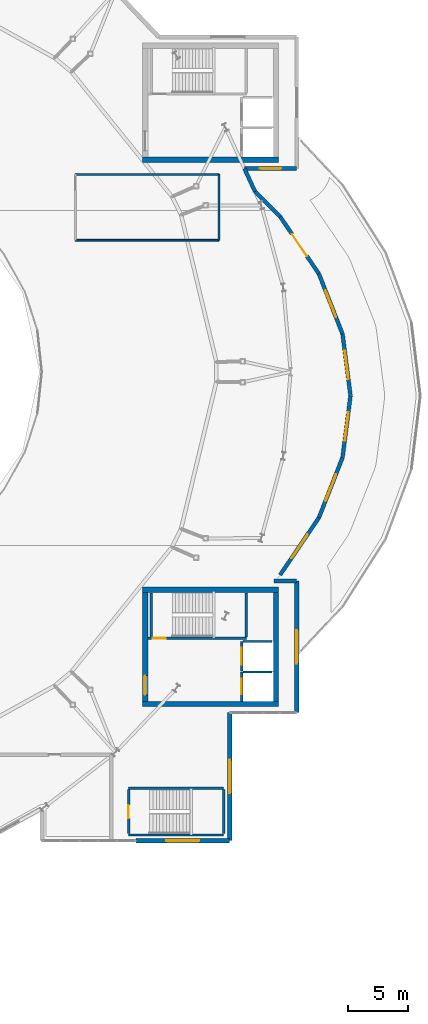
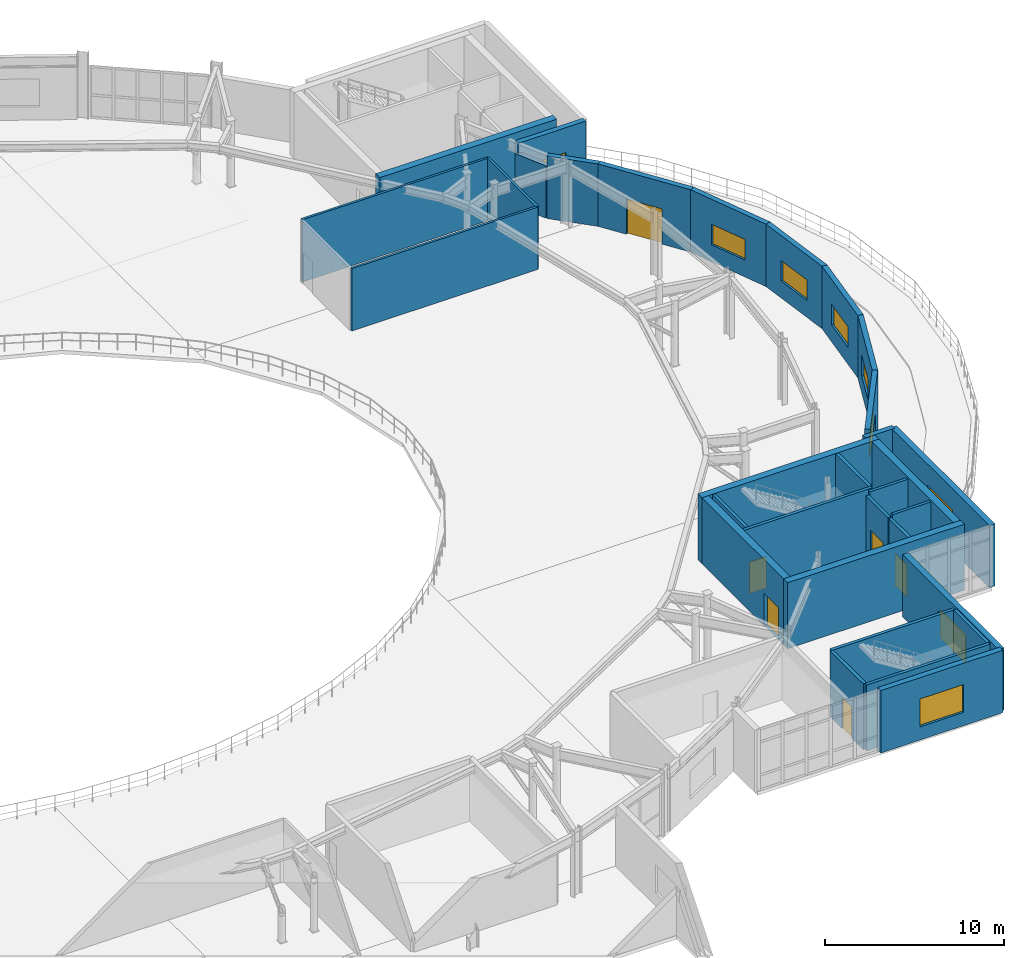
# One storey, part 41 of 48: 32 walls, 9 windows, 6 doors, 15 openings.
"""IFC4 building model written with IfcOpenShell, lengths in metres."""

from ifc_helpers import new_model, si_unit, direction, frame, frame_2d, origin, place, context, subcontext, project, spatial, rectangle, extrude, material, layer, layer_set, type_object, element, fill, save


model = new_model("IFC4")

# Units and contexts
model_context = context("Model", 3, precision=1e-05, world=origin(), true_north=direction((0.0, 1.0)))
body_context = subcontext(model_context, "Body", "Model", "MODEL_VIEW")
ifc_project = project(units=[si_unit("LENGTHUNIT", "METRE"), si_unit("AREAUNIT", "SQUARE_METRE"), si_unit("VOLUMEUNIT", "CUBIC_METRE"), si_unit("PLANEANGLEUNIT", "RADIAN"), si_unit("MASSUNIT", "GRAM", prefix="KILO")], contexts=[model_context])

# Site, building, storey
site_placement = place(None, origin())
site = spatial("IfcSite", under=ifc_project, at=site_placement, CompositionType="ELEMENT")
building_placement = place(site_placement, origin())
building = spatial("IfcBuilding", under=site, at=building_placement, Name="Glasvene Arena", CompositionType="ELEMENT")
storey_placement = place(building_placement, frame((0.0, 0.0, 19.5)))
storey = spatial("IfcBuildingStorey", under=building, at=storey_placement, Name="L04", CompositionType="ELEMENT", Elevation=19.5)

# Walls
ifc_material_1 = material(Name="Concrete C40/50", Category="concrete")
ifc_layer_1 = layer(ifc_material_1, 0.449951171875)
ifc_layer_set_1 = layer_set([ifc_layer_1], Name="Concrete C40/50")
wall_type_1 = type_object("IfcWallType", Name="WL-CORE-450", PredefinedType="SHEAR", material=ifc_layer_set_1)
for number, where, z_axis, x_axis, name in (
    (1, (129.60009765625, 90.72509765625, 0.0), (0.0, 0.0, 1.0), (1.0, 0.0, 0.0), "Core C2 North-East shear wall S L04"),
    (2, (129.60009765625, 45.22509765625, 0.0), (0.0, 0.0, 1.0), (1.0, 0.0, 0.0), "Core C4 South-East shear wall S L04"),
    (3, (129.60009765625, 54.77490234375, 0.0), (0.0, 0.0, 1.0), (1.0, 0.0, 0.0), "Core C4 South-East shear wall N L04"),
):
    element("IfcWall", number, at=place(storey_placement, frame(where, z_axis=z_axis, x_axis=x_axis)), inside=storey, type_object=wall_type_1, Name=name, PredefinedType="SHEAR", context=body_context, shape_type="SweptSolid", body=[
        extrude(rectangle(XDim=11.39990234375, YDim=0.449951171875, at=frame_2d((5.699951171875, 0.0))), origin(), (0.0, 0.0, 1.0), 4.5),
    ])

# Wall, opening, door
wall_1_placement = place(storey_placement, frame((129.824951171875, 45.449951171875, 0.0), z_axis=(0.0, 0.0, 1.0), x_axis=(0.0, 1.0, 0.0)))
wall_1 = element("IfcWall", 4, at=wall_1_placement, inside=storey, type_object=wall_type_1, Name="Core C4 South-East shear wall W L04", PredefinedType="SHEAR", context=body_context, shape_type="SweptSolid", body=[
    extrude(rectangle(XDim=9.10009765625, YDim=0.449951171875, at=frame_2d((4.550048828125, 0.0))), origin(), (0.0, 0.0, 1.0), 4.5),
])
opening_1_placement = place(wall_1_placement, frame((0.550048828125, 0.0, 0.0)))
opening_1 = element("IfcOpeningElement", 5, at=opening_1_placement, cuts=wall_1, Name="Opening D-02", PredefinedType="OPENING", context=body_context, shape_type="SweptSolid", body=[
    extrude(rectangle(XDim=1.60009765625, YDim=2.199951171875, at=frame_2d((0.800048828125, 1.10009765625))), frame((0.0, 0.23486328125, 0.0), z_axis=(0.0, -1.0, 0.0), x_axis=(1.0, 0.0, 0.0)), (0.0, 0.0, 1.0), 0.469970703125),
])
ifc_material_2 = material(Name="Painted fire-resisting steel", Category="steel")
door_type_1 = type_object("IfcDoorType", Name="DR-FD60-1600", OperationType="DOUBLE_DOOR_SINGLE_SWING", PredefinedType="DOOR", material=ifc_material_2)
door_1_placement = place(opening_1_placement, frame((1.60009765625, 0.0, 0.0), z_axis=(0.0, 0.0, 1.0), x_axis=(-1.0, 0.0, 0.0)))
door_1 = element("IfcDoor", 6, at=door_1_placement, inside=storey, type_object=door_type_1, Name="Core firefighting lobby concourse door C4-L04", OperationType="DOUBLE_DOOR_SINGLE_SWING", OverallHeight=2.199951171875, OverallWidth=1.60009765625, PredefinedType="DOOR", context=body_context, shape_type="SweptSolid", body=[
    extrude(rectangle(XDim=1.60009765625, YDim=2.199951171875, at=frame_2d((0.800048828125, 1.10009765625))), frame((0.0, 0.02490234375, 0.0), z_axis=(0.0, -1.0, 0.0), x_axis=(1.0, 0.0, 0.0)), (0.0, 0.0, 1.0), 0.050048828125),
])
fill(opening_1, door_1)

# Wall
wall_2_placement = place(storey_placement, frame((140.77490234375, 45.449951171875, 0.0), z_axis=(0.0, 0.0, 1.0), x_axis=(0.0, 1.0, 0.0)))
element("IfcWall", 7, at=wall_2_placement, inside=storey, type_object=wall_type_1, Name="Core C4 South-East shear wall E L04", PredefinedType="SHEAR", context=body_context, shape_type="SweptSolid", body=[
    extrude(rectangle(XDim=9.10009765625, YDim=0.449951171875, at=frame_2d((4.550048828125, 0.0))), origin(), (0.0, 0.0, 1.0), 4.5),
])

# Wall, opening, window
ifc_material_3 = material(Name="Coursed pale Irish limestone", Category="masonry")
ifc_layer_2 = layer(ifc_material_3, 0.360107421875)
ifc_layer_set_2 = layer_set([ifc_layer_2], Name="Coursed pale Irish limestone")
wall_type_2 = type_object("IfcWallType", Name="WL-EXT-LIM-360", PredefinedType="STANDARD", material=ifc_layer_set_2)
wall_3_placement = place(storey_placement, frame((142.5, 55.5, 0.0), z_axis=(0.0, 0.0, 1.0), x_axis=(0.0, -1.0, 0.0)))
wall_3 = element("IfcWall", 8, at=wall_3_placement, inside=storey, type_object=wall_type_2, Name="External facade wall EW-L04-0273", PredefinedType="STANDARD", context=body_context, shape_type="SweptSolid", body=[
    extrude(rectangle(XDim=11.0, YDim=0.360107421875, at=frame_2d((5.5, 0.0))), origin(), (0.0, 0.0, 1.0), 4.25),
])
opening_2_placement = place(wall_3_placement, frame((4.10009765625, 0.0, 0.89990234375)))
opening_2 = element("IfcOpeningElement", 9, at=opening_2_placement, cuts=wall_3, Name="Opening W-10", PredefinedType="OPENING", context=body_context, shape_type="SweptSolid", body=[
    extrude(rectangle(XDim=2.800048828125, YDim=1.89990234375, at=frame_2d((1.39990234375, 0.949951171875))), frame((0.0, 0.18994140625, 0.0), z_axis=(0.0, -1.0, 0.0), x_axis=(1.0, 0.0, 0.0)), (0.0, 0.0, 1.0), 0.380126953125),
])
ifc_material_4 = material(Name="Low-emissivity laminated double glazing", Category="glass")
window_type_1 = type_object("IfcWindowType", Name="WN-SKY-280x190", PartitioningType="DOUBLE_PANEL_VERTICAL", PredefinedType="WINDOW", material=ifc_material_4)
window_1_placement = place(opening_2_placement, origin())
window_1 = element("IfcWindow", 10, at=window_1_placement, inside=storey, type_object=window_type_1, Name="Facade window WN-SKY-280x190 L04-0174", OverallHeight=1.89990234375, OverallWidth=2.800048828125, PartitioningType="SINGLE_PANEL", PredefinedType="WINDOW", context=body_context, shape_type="SweptSolid", body=[
    extrude(rectangle(XDim=2.800048828125, YDim=1.89990234375, at=frame_2d((1.39990234375, 0.949951171875))), frame((0.0, 0.030029296875, 0.0), z_axis=(0.0, -1.0, 0.0), x_axis=(1.0, 0.0, 0.0)), (0.0, 0.0, 1.0), 0.06005859375),
])
fill(opening_2, window_1)

wall_4_placement = place(storey_placement, frame((136.89990234375, 44.5, 0.0), z_axis=(0.0, 0.0, 1.0), x_axis=(0.0, -1.0, 0.0)))
wall_4 = element("IfcWall", 11, at=wall_4_placement, inside=storey, type_object=wall_type_2, Name="External facade wall EW-L04-0274", PredefinedType="STANDARD", context=body_context, shape_type="SweptSolid", body=[
    extrude(rectangle(XDim=10.699951171875, YDim=0.360107421875, at=frame_2d((5.35009765625, 0.0))), origin(), (0.0, 0.0, 1.0), 4.25),
])
opening_3_placement = place(wall_4_placement, frame((3.949951171875, 0.0, 0.89990234375)))
opening_3 = element("IfcOpeningElement", 12, at=opening_3_placement, cuts=wall_4, Name="Opening W-10", PredefinedType="OPENING", context=body_context, shape_type="SweptSolid", body=[
    extrude(rectangle(XDim=2.800048828125, YDim=1.89990234375, at=frame_2d((1.39990234375, 0.949951171875))), frame((0.0, 0.18994140625, 0.0), z_axis=(0.0, -1.0, 0.0), x_axis=(1.0, 0.0, 0.0)), (0.0, 0.0, 1.0), 0.380126953125),
])
window_2_placement = place(opening_3_placement, origin())
window_2 = element("IfcWindow", 13, at=window_2_placement, inside=storey, type_object=window_type_1, Name="Facade window WN-SKY-280x190 L04-0175", OverallHeight=1.89990234375, OverallWidth=2.800048828125, PartitioningType="SINGLE_PANEL", PredefinedType="WINDOW", context=body_context, shape_type="SweptSolid", body=[
    extrude(rectangle(XDim=2.800048828125, YDim=1.89990234375, at=frame_2d((1.39990234375, 0.949951171875))), frame((0.0, 0.030029296875, 0.0), z_axis=(0.0, -1.0, 0.0), x_axis=(1.0, 0.0, 0.0)), (0.0, 0.0, 1.0), 0.06005859375),
])
fill(opening_3, window_2)

wall_5_placement = place(storey_placement, frame((136.89990234375, 33.800048828125, 0.0), z_axis=(0.0, 0.0, 1.0), x_axis=(-1.0, 0.0, 0.0)))
wall_5 = element("IfcWall", 14, at=wall_5_placement, inside=storey, type_object=wall_type_2, Name="External facade wall EW-L04-0275", PredefinedType="STANDARD", context=body_context, shape_type="SweptSolid", body=[
    extrude(rectangle(XDim=7.849853515625, YDim=0.360107421875, at=frame_2d((3.9248046875, 0.0))), origin(), (0.0, 0.0, 1.0), 4.25),
])
opening_4_placement = place(wall_5_placement, frame((2.52490234375, 0.0, 0.89990234375)))
opening_4 = element("IfcOpeningElement", 15, at=opening_4_placement, cuts=wall_5, Name="Opening W-10", PredefinedType="OPENING", context=body_context, shape_type="SweptSolid", body=[
    extrude(rectangle(XDim=2.800048828125, YDim=1.89990234375, at=frame_2d((1.39990234375, 0.949951171875))), frame((0.0, 0.18994140625, 0.0), z_axis=(0.0, -1.0, 0.0), x_axis=(1.0, 0.0, 0.0)), (0.0, 0.0, 1.0), 0.380126953125),
])
window_3_placement = place(opening_4_placement, origin())
window_3 = element("IfcWindow", 16, at=window_3_placement, inside=storey, type_object=window_type_1, Name="Facade window WN-SKY-280x190 L04-0176", OverallHeight=1.89990234375, OverallWidth=2.800048828125, PartitioningType="SINGLE_PANEL", PredefinedType="WINDOW", context=body_context, shape_type="SweptSolid", body=[
    extrude(rectangle(XDim=2.800048828125, YDim=1.89990234375, at=frame_2d((1.39990234375, 0.949951171875))), frame((0.0, 0.030029296875, 0.0), z_axis=(0.0, -1.0, 0.0), x_axis=(1.0, 0.0, 0.0)), (0.0, 0.0, 1.0), 0.06005859375),
])
fill(opening_4, window_3)

ifc_material_5 = material(Name="Precast concrete C50/60", Category="concrete")
ifc_layer_3 = layer(ifc_material_5, 0.320068359375)
ifc_layer_set_3 = layer_set([ifc_layer_3], Name="Precast concrete C50/60")
wall_type_3 = type_object("IfcWallType", Name="WL-EXT-PRC-320", PredefinedType="STANDARD", material=ifc_layer_set_3)
wall_6_placement = place(storey_placement, frame((142.5, 90.0, 0.0), z_axis=(0.0, 0.0, 1.0), x_axis=(-1.0, 0.0, 0.0)))
wall_6 = element("IfcWall", 17, at=wall_6_placement, inside=storey, type_object=wall_type_3, Name="External facade wall EW-L04-0263", PredefinedType="STANDARD", context=body_context, shape_type="SweptSolid", body=[
    extrude(rectangle(XDim=4.371337890625, YDim=0.320068359375, at=frame_2d((2.185546875, 0.0))), origin(), (0.0, 0.0, 1.0), 4.25),
])
opening_5_placement = place(wall_6_placement, frame((1.285888671875, 0.0, 1.14990234375)))
opening_5 = element("IfcOpeningElement", 18, at=opening_5_placement, cuts=wall_6, Name="Opening W-19", PredefinedType="OPENING", context=body_context, shape_type="SweptSolid", body=[
    extrude(rectangle(XDim=1.800048828125, YDim=1.39990234375, at=frame_2d((0.89990234375, 0.699951171875))), frame((0.0, 0.169921875, 0.0), z_axis=(0.0, -1.0, 0.0), x_axis=(1.0, 0.0, 0.0)), (0.0, 0.0, 1.0), 0.340087890625),
])
window_type_2 = type_object("IfcWindowType", Name="WN-LOUV-180x140", PartitioningType="SINGLE_PANEL", PredefinedType="WINDOW", material=ifc_material_4)
window_4_placement = place(opening_5_placement, origin())
window_4 = element("IfcWindow", 19, at=window_4_placement, inside=storey, type_object=window_type_2, Name="Facade window WN-LOUV-180x140 L04-0168", OverallHeight=1.39990234375, OverallWidth=1.800048828125, PartitioningType="SINGLE_PANEL", PredefinedType="WINDOW", context=body_context, shape_type="SweptSolid", body=[
    extrude(rectangle(XDim=1.800048828125, YDim=1.39990234375, at=frame_2d((0.89990234375, 0.699951171875))), frame((0.0, 0.030029296875, 0.0), z_axis=(0.0, -1.0, 0.0), x_axis=(1.0, 0.0, 0.0)), (0.0, 0.0, 1.0), 0.06005859375),
])
fill(opening_5, window_4)

# Walls
wall_7_placement = place(storey_placement, frame((138.128662109375, 90.0, 0.0), z_axis=(0.0, 0.0, 1.0), x_axis=(0.418114917524, -0.908394141188, 0.0)))
element("IfcWall", 20, at=wall_7_placement, inside=storey, type_object=wall_type_3, Name="External facade wall EW-L04-0264", PredefinedType="STANDARD", context=body_context, shape_type="SweptSolid", body=[
    extrude(rectangle(XDim=2.117919921875, YDim=0.320068359375, at=frame_2d((1.05908203125, 0.0))), origin(), (0.0, 0.0, 1.0), 3.5615234375),
])
wall_8_placement = place(storey_placement, frame((139.01416015625, 88.076171875, 0.0), z_axis=(0.0, 0.0, 1.0), x_axis=(0.708093784672, -0.706118398082, 0.0)))
element("IfcWall", 21, at=wall_8_placement, inside=storey, type_object=wall_type_3, Name="External facade wall EW-L04-0265", PredefinedType="STANDARD", context=body_context, shape_type="SweptSolid", body=[
    extrude(rectangle(XDim=2.96630859375, YDim=0.320068359375, at=frame_2d((1.483154296875, 0.0))), origin(), (0.0, 0.0, 1.0), 4.25),
])

# Wall, opening, door
wall_9_placement = place(storey_placement, frame((141.114501953125, 85.981689453125, 0.0), z_axis=(0.0, 0.0, 1.0), x_axis=(0.561059216787, -0.82777566723, 0.0)))
wall_9 = element("IfcWall", 22, at=wall_9_placement, inside=storey, type_object=wall_type_3, Name="External facade wall EW-L04-0266", PredefinedType="STANDARD", context=body_context, shape_type="SweptSolid", body=[
    extrude(rectangle(XDim=5.779541015625, YDim=0.320068359375, at=frame_2d((2.8896484375, 0.0))), origin(), (0.0, 0.0, 1.0), 4.25),
])
opening_6_placement = place(wall_9_placement, frame((1.7900390625, 0.0, 0.0)))
opening_6 = element("IfcOpeningElement", 23, at=opening_6_placement, cuts=wall_9, Name="Opening TD-220", PredefinedType="OPENING", context=body_context, shape_type="SweptSolid", body=[
    extrude(rectangle(XDim=2.199951171875, YDim=2.39990234375, at=frame_2d((1.10009765625, 1.199951171875))), frame((0.0, 0.169921875, 0.0), z_axis=(0.0, -1.0, 0.0), x_axis=(1.0, 0.0, 0.0)), (0.0, 0.0, 1.0), 0.340087890625),
])
ifc_material_6 = material(Name="Anodised architectural aluminium", Category="aluminium")
door_type_2 = type_object("IfcDoorType", Name="DR-TERR-2200", OperationType="DOUBLE_DOOR_SINGLE_SWING", PredefinedType="DOOR", material=ifc_material_6)
door_2_placement = place(opening_6_placement, origin())
door_2 = element("IfcDoor", 24, at=door_2_placement, inside=storey, type_object=door_type_2, Name="Terrace lounge glazed exit door TD-L04-06", OperationType="DOUBLE_DOOR_SINGLE_SWING", OverallHeight=2.39990234375, OverallWidth=2.199951171875, PredefinedType="DOOR", context=body_context, shape_type="SweptSolid", body=[
    extrude(rectangle(XDim=2.199951171875, YDim=2.39990234375, at=frame_2d((1.10009765625, 1.199951171875))), frame((0.0, 0.02490234375, 0.0), z_axis=(0.0, -1.0, 0.0), x_axis=(1.0, 0.0, 0.0)), (0.0, 0.0, 1.0), 0.050048828125),
])
fill(opening_6, door_2)

# Wall, opening, window
wall_10_placement = place(storey_placement, frame((144.357177734375, 81.197509765625, 0.0), z_axis=(0.0, 0.0, 1.0), x_axis=(0.365641202161, -0.93075588168, 0.0)))
wall_10 = element("IfcWall", 25, at=wall_10_placement, inside=storey, type_object=wall_type_3, Name="External facade wall EW-L04-0267", PredefinedType="STANDARD", context=body_context, shape_type="SweptSolid", body=[
    extrude(rectangle(XDim=5.40966796875, YDim=0.320068359375, at=frame_2d((2.704833984375, 0.0))), origin(), (0.0, 0.0, 1.0), 4.25),
])
opening_7_placement = place(wall_10_placement, frame((1.5048828125, 0.0, 1.14990234375)))
opening_7 = element("IfcOpeningElement", 26, at=opening_7_placement, cuts=wall_10, Name="Opening W-18", PredefinedType="OPENING", context=body_context, shape_type="SweptSolid", body=[
    extrude(rectangle(XDim=2.39990234375, YDim=1.39990234375, at=frame_2d((1.199951171875, 0.699951171875))), frame((0.0, 0.169921875, 0.0), z_axis=(0.0, -1.0, 0.0), x_axis=(1.0, 0.0, 0.0)), (0.0, 0.0, 1.0), 0.340087890625),
])
window_type_3 = type_object("IfcWindowType", Name="WN-LOUV-240x140", PartitioningType="DOUBLE_PANEL_HORIZONTAL", PredefinedType="WINDOW", material=ifc_material_4)
window_5_placement = place(opening_7_placement, origin())
window_5 = element("IfcWindow", 27, at=window_5_placement, inside=storey, type_object=window_type_3, Name="Facade window WN-LOUV-240x140 L04-0169", OverallHeight=1.39990234375, OverallWidth=2.39990234375, PartitioningType="SINGLE_PANEL", PredefinedType="WINDOW", context=body_context, shape_type="SweptSolid", body=[
    extrude(rectangle(XDim=2.39990234375, YDim=1.39990234375, at=frame_2d((1.199951171875, 0.699951171875))), frame((0.0, 0.030029296875, 0.0), z_axis=(0.0, -1.0, 0.0), x_axis=(1.0, 0.0, 0.0)), (0.0, 0.0, 1.0), 0.06005859375),
])
fill(opening_7, window_5)

wall_11_placement = place(storey_placement, frame((146.335205078125, 76.162353515625, 0.0), z_axis=(0.0, 0.0, 1.0), x_axis=(0.127722788999, -0.991809905763, 0.0)))
wall_11 = element("IfcWall", 28, at=wall_11_placement, inside=storey, type_object=wall_type_3, Name="External facade wall EW-L04-0268", PredefinedType="STANDARD", context=body_context, shape_type="SweptSolid", body=[
    extrude(rectangle(XDim=5.205078125, YDim=0.320068359375, at=frame_2d((2.6025390625, 0.0))), origin(), (0.0, 0.0, 1.0), 4.25),
])
opening_8_placement = place(wall_11_placement, frame((1.402099609375, 0.0, 1.14990234375)))
opening_8 = element("IfcOpeningElement", 29, at=opening_8_placement, cuts=wall_11, Name="Opening W-18", PredefinedType="OPENING", context=body_context, shape_type="SweptSolid", body=[
    extrude(rectangle(XDim=2.39990234375, YDim=1.39990234375, at=frame_2d((1.199951171875, 0.699951171875))), frame((0.0, 0.169921875, 0.0), z_axis=(0.0, -1.0, 0.0), x_axis=(1.0, 0.0, 0.0)), (0.0, 0.0, 1.0), 0.340087890625),
])
window_6_placement = place(opening_8_placement, origin())
window_6 = element("IfcWindow", 30, at=window_6_placement, inside=storey, type_object=window_type_3, Name="Facade window WN-LOUV-240x140 L04-0170", OverallHeight=1.39990234375, OverallWidth=2.39990234375, PartitioningType="SINGLE_PANEL", PredefinedType="WINDOW", context=body_context, shape_type="SweptSolid", body=[
    extrude(rectangle(XDim=2.39990234375, YDim=1.39990234375, at=frame_2d((1.199951171875, 0.699951171875))), frame((0.0, 0.030029296875, 0.0), z_axis=(0.0, -1.0, 0.0), x_axis=(1.0, 0.0, 0.0)), (0.0, 0.0, 1.0), 0.06005859375),
])
fill(opening_8, window_6)

wall_12_placement = place(storey_placement, frame((147.0, 71.0, 0.0), z_axis=(0.0, 0.0, 1.0), x_axis=(-0.127722788999, -0.991809905763, 0.0)))
wall_12 = element("IfcWall", 31, at=wall_12_placement, inside=storey, type_object=wall_type_3, Name="External facade wall EW-L04-0269", PredefinedType="STANDARD", context=body_context, shape_type="SweptSolid", body=[
    extrude(rectangle(XDim=5.205078125, YDim=0.320068359375, at=frame_2d((2.6025390625, 0.0))), origin(), (0.0, 0.0, 1.0), 4.25),
])
opening_9_placement = place(wall_12_placement, frame((1.402099609375, 0.0, 1.14990234375)))
opening_9 = element("IfcOpeningElement", 32, at=opening_9_placement, cuts=wall_12, Name="Opening W-18", PredefinedType="OPENING", context=body_context, shape_type="SweptSolid", body=[
    extrude(rectangle(XDim=2.39990234375, YDim=1.39990234375, at=frame_2d((1.199951171875, 0.699951171875))), frame((0.0, 0.169921875, 0.0), z_axis=(0.0, -1.0, 0.0), x_axis=(1.0, 0.0, 0.0)), (0.0, 0.0, 1.0), 0.340087890625),
])
window_7_placement = place(opening_9_placement, origin())
window_7 = element("IfcWindow", 33, at=window_7_placement, inside=storey, type_object=window_type_3, Name="Facade window WN-LOUV-240x140 L04-0171", OverallHeight=1.39990234375, OverallWidth=2.39990234375, PartitioningType="SINGLE_PANEL", PredefinedType="WINDOW", context=body_context, shape_type="SweptSolid", body=[
    extrude(rectangle(XDim=2.39990234375, YDim=1.39990234375, at=frame_2d((1.199951171875, 0.699951171875))), frame((0.0, 0.030029296875, 0.0), z_axis=(0.0, -1.0, 0.0), x_axis=(1.0, 0.0, 0.0)), (0.0, 0.0, 1.0), 0.06005859375),
])
fill(opening_9, window_7)

wall_13_placement = place(storey_placement, frame((146.335205078125, 65.837646484375, 0.0), z_axis=(0.0, 0.0, 1.0), x_axis=(-0.365641202161, -0.93075588168, 0.0)))
wall_13 = element("IfcWall", 34, at=wall_13_placement, inside=storey, type_object=wall_type_3, Name="External facade wall EW-L04-0270", PredefinedType="STANDARD", context=body_context, shape_type="SweptSolid", body=[
    extrude(rectangle(XDim=5.40966796875, YDim=0.320068359375, at=frame_2d((2.704833984375, 0.0))), origin(), (0.0, 0.0, 1.0), 4.25),
])
opening_10_placement = place(wall_13_placement, frame((1.5048828125, 0.0, 1.14990234375)))
opening_10 = element("IfcOpeningElement", 35, at=opening_10_placement, cuts=wall_13, Name="Opening W-18", PredefinedType="OPENING", context=body_context, shape_type="SweptSolid", body=[
    extrude(rectangle(XDim=2.39990234375, YDim=1.39990234375, at=frame_2d((1.199951171875, 0.699951171875))), frame((0.0, 0.169921875, 0.0), z_axis=(0.0, -1.0, 0.0), x_axis=(1.0, 0.0, 0.0)), (0.0, 0.0, 1.0), 0.340087890625),
])
window_8_placement = place(opening_10_placement, origin())
window_8 = element("IfcWindow", 36, at=window_8_placement, inside=storey, type_object=window_type_3, Name="Facade window WN-LOUV-240x140 L04-0172", OverallHeight=1.39990234375, OverallWidth=2.39990234375, PartitioningType="SINGLE_PANEL", PredefinedType="WINDOW", context=body_context, shape_type="SweptSolid", body=[
    extrude(rectangle(XDim=2.39990234375, YDim=1.39990234375, at=frame_2d((1.199951171875, 0.699951171875))), frame((0.0, 0.030029296875, 0.0), z_axis=(0.0, -1.0, 0.0), x_axis=(1.0, 0.0, 0.0)), (0.0, 0.0, 1.0), 0.06005859375),
])
fill(opening_10, window_8)

wall_14_placement = place(storey_placement, frame((144.357177734375, 60.802490234375, 0.0), z_axis=(0.0, 0.0, 1.0), x_axis=(-0.561059216787, -0.82777566723, 0.0)))
wall_14 = element("IfcWall", 37, at=wall_14_placement, inside=storey, type_object=wall_type_3, Name="External facade wall EW-L04-0271", PredefinedType="STANDARD", context=body_context, shape_type="SweptSolid", body=[
    extrude(rectangle(XDim=5.779541015625, YDim=0.320068359375, at=frame_2d((2.8896484375, 0.0))), origin(), (0.0, 0.0, 1.0), 4.25),
])
opening_11_placement = place(wall_14_placement, frame((1.68994140625, 0.0, 1.14990234375)))
opening_11 = element("IfcOpeningElement", 38, at=opening_11_placement, cuts=wall_14, Name="Opening W-18", PredefinedType="OPENING", context=body_context, shape_type="SweptSolid", body=[
    extrude(rectangle(XDim=2.39990234375, YDim=1.39990234375, at=frame_2d((1.199951171875, 0.699951171875))), frame((0.0, 0.169921875, 0.0), z_axis=(0.0, -1.0, 0.0), x_axis=(1.0, 0.0, 0.0)), (0.0, 0.0, 1.0), 0.340087890625),
])
window_9_placement = place(opening_11_placement, origin())
window_9 = element("IfcWindow", 39, at=window_9_placement, inside=storey, type_object=window_type_3, Name="Facade window WN-LOUV-240x140 L04-0173", OverallHeight=1.39990234375, OverallWidth=2.39990234375, PartitioningType="SINGLE_PANEL", PredefinedType="WINDOW", context=body_context, shape_type="SweptSolid", body=[
    extrude(rectangle(XDim=2.39990234375, YDim=1.39990234375, at=frame_2d((1.199951171875, 0.699951171875))), frame((0.0, 0.030029296875, 0.0), z_axis=(0.0, -1.0, 0.0), x_axis=(1.0, 0.0, 0.0)), (0.0, 0.0, 1.0), 0.06005859375),
])
fill(opening_11, window_9)

# Walls
wall_15_placement = place(storey_placement, frame((140.5947265625, 55.5, 0.0), z_axis=(0.0, 0.0, 1.0), x_axis=(1.0, 0.0, 0.0)))
element("IfcWall", 40, at=wall_15_placement, inside=storey, type_object=wall_type_3, Name="External facade wall EW-L04-0272", PredefinedType="STANDARD", context=body_context, shape_type="SweptSolid", body=[
    extrude(rectangle(XDim=1.9052734375, YDim=0.320068359375, at=frame_2d((0.95263671875, 0.0))), origin(), (0.0, 0.0, 1.0), 4.25),
])
ifc_material_7 = material(Name="Insulated acoustic metal-stud partition")
ifc_layer_4 = layer(ifc_material_7, 0.14990234375)
ifc_layer_set_4 = layer_set([ifc_layer_4], Name="Insulated acoustic metal-stud partition")
wall_type_4 = type_object("IfcWallType", Name="WL-PART-150", PredefinedType="PARTITIONING", material=ifc_layer_set_4)
wall_16_placement = place(storey_placement, frame((124.0, 89.5, 0.0), z_axis=(0.0, 0.0, 1.0), x_axis=(1.0, 0.0, 0.0)))
element("IfcWall", 41, at=wall_16_placement, inside=storey, type_object=wall_type_4, Name="Interior partition wall IW-L04-0322 (Audio Dimmer and Amplifier Store)", PredefinedType="PARTITIONING", context=body_context, shape_type="SweptSolid", body=[
    extrude(rectangle(XDim=12.0, YDim=0.14990234375, at=frame_2d((6.0, 0.0))), origin(), (0.0, 0.0, 1.0), 4.25),
])
wall_17_placement = place(storey_placement, frame((136.0, 89.5, 0.0), z_axis=(0.0, 0.0, 1.0), x_axis=(0.0, -1.0, 0.0)))
element("IfcWall", 42, at=wall_17_placement, inside=storey, type_object=wall_type_4, Name="Interior partition wall IW-L04-0323 (Audio Dimmer and Amplifier Store)", PredefinedType="PARTITIONING", context=body_context, shape_type="SweptSolid", body=[
    extrude(rectangle(XDim=5.5, YDim=0.14990234375, at=frame_2d((2.75, 0.0))), origin(), (0.0, 0.0, 1.0), 4.25),
])
wall_18_placement = place(storey_placement, frame((136.0, 84.0, 0.0), z_axis=(0.0, 0.0, 1.0), x_axis=(-1.0, 0.0, 0.0)))
element("IfcWall", 43, at=wall_18_placement, inside=storey, type_object=wall_type_4, Name="Interior partition wall IW-L04-0324 (Audio Dimmer and Amplifier Store)", PredefinedType="PARTITIONING", context=body_context, shape_type="SweptSolid", body=[
    extrude(rectangle(XDim=12.0, YDim=0.14990234375, at=frame_2d((6.0, 0.0))), origin(), (0.0, 0.0, 1.0), 4.25),
])

# Wall, opening, door
ifc_layer_5 = layer(ifc_material_1, 0.199951171875)
ifc_layer_set_5 = layer_set([ifc_layer_5], Name="Concrete C40/50")
wall_type_5 = type_object("IfcWallType", Name="WL-SHAFT-200", PredefinedType="SHEAR", material=ifc_layer_set_5)
wall_19_placement = place(storey_placement, frame((137.89990234375, 45.449951171875, 0.0), z_axis=(0.0, 0.0, 1.0), x_axis=(0.0, 1.0, 0.0)))
wall_19 = element("IfcWall", 44, at=wall_19_placement, inside=storey, type_object=wall_type_5, Name="Lift shaft front wall FFL-04 L04", PredefinedType="SHEAR", context=body_context, shape_type="SweptSolid", body=[
    extrude(rectangle(XDim=2.449951171875, YDim=0.199951171875, at=frame_2d((1.22509765625, 0.0))), origin(), (0.0, 0.0, 1.0), 4.25),
])
opening_12_placement = place(wall_19_placement, frame((0.574951171875, 0.0, 0.0)))
opening_12 = element("IfcOpeningElement", 45, at=opening_12_placement, cuts=wall_19, Name="Opening LD-FF", PredefinedType="OPENING", context=body_context, shape_type="SweptSolid", body=[
    extrude(rectangle(XDim=1.300048828125, YDim=2.199951171875, at=frame_2d((0.64990234375, 1.10009765625))), frame((0.0, 0.10986328125, 0.0), z_axis=(0.0, -1.0, 0.0), x_axis=(1.0, 0.0, 0.0)), (0.0, 0.0, 1.0), 0.219970703125),
])
ifc_material_8 = material(Name="Brushed stainless steel", Category="steel")
door_type_3 = type_object("IfcDoorType", Name="LD-FFL-1300", OperationType="DOUBLE_DOOR_SLIDING", PredefinedType="DOOR", material=ifc_material_8)
door_3_placement = place(opening_12_placement, origin())
door_3 = element("IfcDoor", 46, at=door_3_placement, inside=storey, type_object=door_type_3, Name="Lift sliding landing door LD-FFL-04-L04", OperationType="DOUBLE_DOOR_SLIDING", OverallHeight=2.199951171875, OverallWidth=1.300048828125, PredefinedType="DOOR", context=body_context, shape_type="SweptSolid", body=[
    extrude(rectangle(XDim=1.300048828125, YDim=2.199951171875, at=frame_2d((0.64990234375, 1.10009765625))), frame((0.0, 0.02490234375, 0.0), z_axis=(0.0, -1.0, 0.0), x_axis=(1.0, 0.0, 0.0)), (0.0, 0.0, 1.0), 0.050048828125),
])
fill(opening_12, door_3)

wall_20_placement = place(storey_placement, frame((137.89990234375, 48.0, 0.0), z_axis=(0.0, 0.0, 1.0), x_axis=(0.0, 1.0, 0.0)))
wall_20 = element("IfcWall", 47, at=wall_20_placement, inside=storey, type_object=wall_type_5, Name="Lift shaft front wall PL-04 L04", PredefinedType="SHEAR", context=body_context, shape_type="SweptSolid", body=[
    extrude(rectangle(XDim=2.449951171875, YDim=0.199951171875, at=frame_2d((1.22509765625, 0.0))), origin(), (0.0, 0.0, 1.0), 4.25),
])
opening_13_placement = place(wall_20_placement, frame((0.52490234375, 0.0, 0.0)))
opening_13 = element("IfcOpeningElement", 48, at=opening_13_placement, cuts=wall_20, Name="Opening LD-PL", PredefinedType="OPENING", context=body_context, shape_type="SweptSolid", body=[
    extrude(rectangle(XDim=1.39990234375, YDim=2.199951171875, at=frame_2d((0.699951171875, 1.10009765625))), frame((0.0, 0.10986328125, 0.0), z_axis=(0.0, -1.0, 0.0), x_axis=(1.0, 0.0, 0.0)), (0.0, 0.0, 1.0), 0.219970703125),
])
door_type_4 = type_object("IfcDoorType", Name="LD-PL-1400", OperationType="DOUBLE_DOOR_SLIDING", PredefinedType="DOOR", material=ifc_material_8)
door_4_placement = place(opening_13_placement, origin())
door_4 = element("IfcDoor", 49, at=door_4_placement, inside=storey, type_object=door_type_4, Name="Lift sliding landing door LD-PL-04-L04", OperationType="DOUBLE_DOOR_SLIDING", OverallHeight=2.199951171875, OverallWidth=1.39990234375, PredefinedType="DOOR", context=body_context, shape_type="SweptSolid", body=[
    extrude(rectangle(XDim=1.39990234375, YDim=2.199951171875, at=frame_2d((0.699951171875, 1.10009765625))), frame((0.0, 0.02490234375, 0.0), z_axis=(0.0, -1.0, 0.0), x_axis=(1.0, 0.0, 0.0)), (0.0, 0.0, 1.0), 0.050048828125),
])
fill(opening_13, door_4)

wall_21_placement = place(storey_placement, frame((130.052001953125, 50.72998046875, 0.0), z_axis=(0.0, 0.0, 1.0), x_axis=(1.0, 0.0, 0.0)))
wall_21 = element("IfcWall", 50, at=wall_21_placement, inside=storey, type_object=wall_type_5, Name="Escape stair shaft wall ST-04 L04 S", PredefinedType="SHEAR", context=body_context, shape_type="SweptSolid", body=[
    extrude(rectangle(XDim=8.248046875, YDim=0.199951171875, at=frame_2d((4.1240234375, 0.0))), origin(), (0.0, 0.0, 1.0), 4.5),
])
opening_14_placement = place(wall_21_placement, frame((0.39990234375, 0.0, 0.0)))
opening_14 = element("IfcOpeningElement", 51, at=opening_14_placement, cuts=wall_21, Name="Opening D-04", PredefinedType="OPENING", context=body_context, shape_type="SweptSolid", body=[
    extrude(rectangle(XDim=1.10009765625, YDim=2.14990234375, at=frame_2d((0.550048828125, 1.074951171875))), frame((0.0, 0.10986328125, 0.0), z_axis=(0.0, -1.0, 0.0), x_axis=(1.0, 0.0, 0.0)), (0.0, 0.0, 1.0), 0.219970703125),
])
door_type_5 = type_object("IfcDoorType", Name="DR-FD60-1100", OperationType="NOTDEFINED", PredefinedType="DOOR", material=ifc_material_2)
door_5_placement = place(opening_14_placement, frame((1.10009765625, 0.0, 0.0), z_axis=(0.0, 0.0, 1.0), x_axis=(-1.0, 0.0, 0.0)))
door_5 = element("IfcDoor", 52, at=door_5_placement, inside=storey, type_object=door_type_5, Name="Protected escape stair door ST-04 L04", OperationType="SINGLE_SWING_RIGHT", OverallHeight=2.14990234375, OverallWidth=1.10009765625, PredefinedType="DOOR", context=body_context, shape_type="SweptSolid", body=[
    extrude(rectangle(XDim=1.10009765625, YDim=2.14990234375, at=frame_2d((0.550048828125, 1.074951171875))), frame((0.0, 0.02490234375, 0.0), z_axis=(0.0, -1.0, 0.0), x_axis=(1.0, 0.0, 0.0)), (0.0, 0.0, 1.0), 0.050048828125),
])
fill(opening_14, door_5)

# Walls
for number, where, z_axis, x_axis, name in (
    (53, (130.35009765625, 50.83203125, 0.0), (0.0, 0.0, 1.0), (0.0, 1.0, 0.0), "Escape stair shaft wall ST-04 L04 W"),
    (54, (138.300048828125, 50.83203125, 0.0), (0.0, 0.0, 1.0), (0.0, 1.0, 0.0), "Escape stair shaft wall ST-04 L04 E"),
):
    element("IfcWall", number, at=place(storey_placement, frame(where, z_axis=z_axis, x_axis=x_axis)), inside=storey, type_object=wall_type_5, Name=name, PredefinedType="SHEAR", context=body_context, shape_type="SweptSolid", body=[
        extrude(rectangle(XDim=3.68603515625, YDim=0.199951171875, at=frame_2d((1.843017578125, 0.0))), origin(), (0.0, 0.0, 1.0), 4.5),
    ])
wall_22_placement = place(storey_placement, frame((128.449951171875, 34.280029296875, 0.0), z_axis=(0.0, 0.0, 1.0), x_axis=(1.0, 0.0, 0.0)))
element("IfcWall", 55, at=wall_22_placement, inside=storey, type_object=wall_type_5, Name="Escape stair shaft wall ST-06 L04 S", PredefinedType="SHEAR", context=body_context, shape_type="SweptSolid", body=[
    extrude(rectangle(XDim=7.949951171875, YDim=0.199951171875, at=frame_2d((3.97509765625, 0.0))), origin(), (0.0, 0.0, 1.0), 4.5),
])

# Wall, opening, door
wall_23_placement = place(storey_placement, frame((128.449951171875, 34.382080078125, 0.0), z_axis=(0.0, 0.0, 1.0), x_axis=(0.0, 1.0, 0.0)))
wall_23 = element("IfcWall", 56, at=wall_23_placement, inside=storey, type_object=wall_type_5, Name="Escape stair shaft wall ST-06 L04 W", PredefinedType="SHEAR", context=body_context, shape_type="SweptSolid", body=[
    extrude(rectangle(XDim=3.68603515625, YDim=0.199951171875, at=frame_2d((1.843017578125, 0.0))), origin(), (0.0, 0.0, 1.0), 4.5),
])
opening_15_placement = place(wall_23_placement, frame((1.29296875, 0.0, 0.0)))
opening_15 = element("IfcOpeningElement", 57, at=opening_15_placement, cuts=wall_23, Name="Opening D-04", PredefinedType="OPENING", context=body_context, shape_type="SweptSolid", body=[
    extrude(rectangle(XDim=1.10009765625, YDim=2.14990234375, at=frame_2d((0.550048828125, 1.074951171875))), frame((0.0, 0.10986328125, 0.0), z_axis=(0.0, -1.0, 0.0), x_axis=(1.0, 0.0, 0.0)), (0.0, 0.0, 1.0), 0.219970703125),
])
door_6_placement = place(opening_15_placement, frame((1.10009765625, 0.0, 0.0), z_axis=(0.0, 0.0, 1.0), x_axis=(-1.0, 0.0, 0.0)))
door_6 = element("IfcDoor", 58, at=door_6_placement, inside=storey, type_object=door_type_5, Name="Protected escape stair door ST-06 L04", OperationType="SINGLE_SWING_RIGHT", OverallHeight=2.14990234375, OverallWidth=1.10009765625, PredefinedType="DOOR", context=body_context, shape_type="SweptSolid", body=[
    extrude(rectangle(XDim=1.10009765625, YDim=2.14990234375, at=frame_2d((0.550048828125, 1.074951171875))), frame((0.0, 0.02490234375, 0.0), z_axis=(0.0, -1.0, 0.0), x_axis=(1.0, 0.0, 0.0)), (0.0, 0.0, 1.0), 0.050048828125),
])
fill(opening_15, door_6)

# Walls
wall_24_placement = place(storey_placement, frame((136.39990234375, 34.382080078125, 0.0), z_axis=(0.0, 0.0, 1.0), x_axis=(0.0, 1.0, 0.0)))
element("IfcWall", 59, at=wall_24_placement, inside=storey, type_object=wall_type_5, Name="Escape stair shaft wall ST-06 L04 E", PredefinedType="SHEAR", context=body_context, shape_type="SweptSolid", body=[
    extrude(rectangle(XDim=3.68603515625, YDim=0.199951171875, at=frame_2d((1.843017578125, 0.0))), origin(), (0.0, 0.0, 1.0), 4.5),
])
wall_25_placement = place(storey_placement, frame((128.449951171875, 38.169921875, 0.0), z_axis=(0.0, 0.0, 1.0), x_axis=(1.0, 0.0, 0.0)))
element("IfcWall", 60, at=wall_25_placement, inside=storey, type_object=wall_type_5, Name="Escape stair shaft wall ST-06 L04 N", PredefinedType="SHEAR", context=body_context, shape_type="SweptSolid", body=[
    extrude(rectangle(XDim=7.949951171875, YDim=0.199951171875, at=frame_2d((3.97509765625, 0.0))), origin(), (0.0, 0.0, 1.0), 4.5),
])
ifc_material_9 = material(Name="Moisture-resistant masonry blockwork", Category="masonry")
ifc_layer_6 = layer(ifc_material_9, 0.179931640625)
ifc_layer_set_6 = layer_set([ifc_layer_6], Name="Moisture-resistant masonry blockwork")
wall_type_6 = type_object("IfcWallType", Name="WL-WET-180", PredefinedType="PARTITIONING", material=ifc_layer_set_6)
for number, where, z_axis, x_axis, name in (
    (61, (138.0, 47.89990234375, 0.0), (0.0, 0.0, 1.0), (1.0, 0.0, 0.0), "Lift shaft divider wall C4 L04"),
    (62, (138.0, 50.449951171875, 0.0), (0.0, 0.0, 1.0), (1.0, 0.0, 0.0), "Lift shaft north enclosure wall C4 L04"),
):
    element("IfcWall", number, at=place(storey_placement, frame(where, z_axis=z_axis, x_axis=x_axis)), inside=storey, type_object=wall_type_6, Name=name, PredefinedType="PARTITIONING", context=body_context, shape_type="SweptSolid", body=[
        extrude(rectangle(XDim=2.449951171875, YDim=0.179931640625, at=frame_2d((1.22509765625, 0.0))), origin(), (0.0, 0.0, 1.0), 4.5),
    ])

save(model, "model.ifc")
